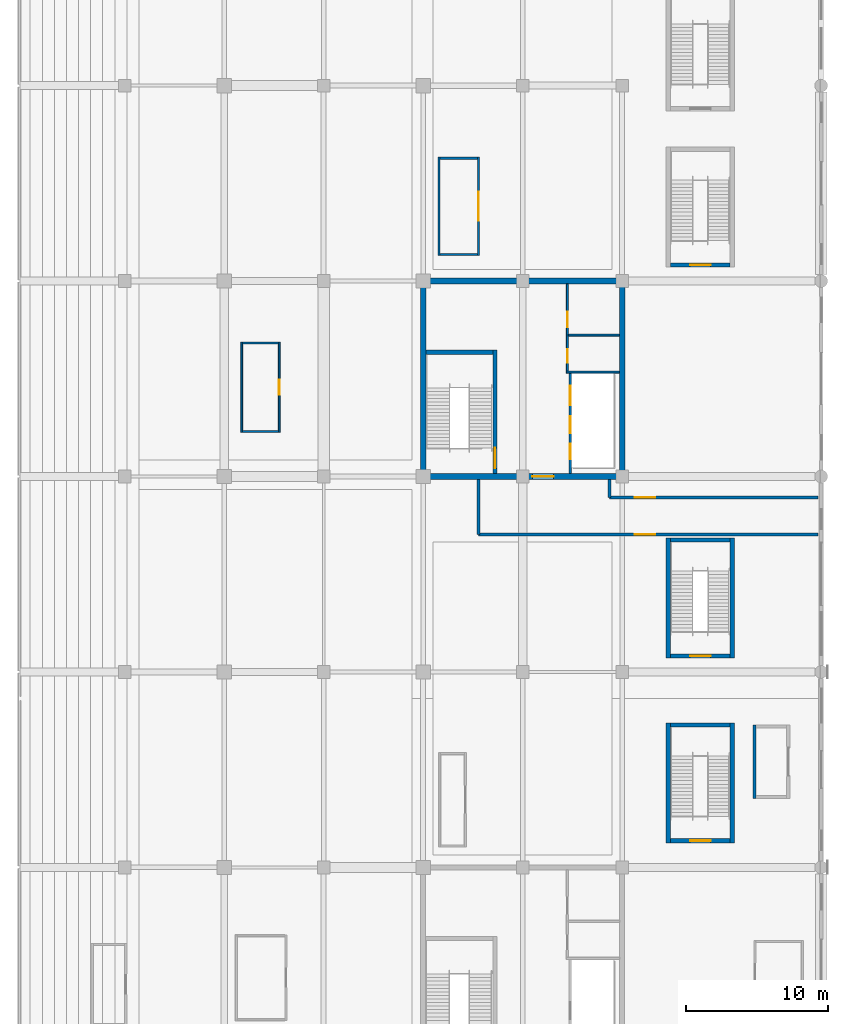
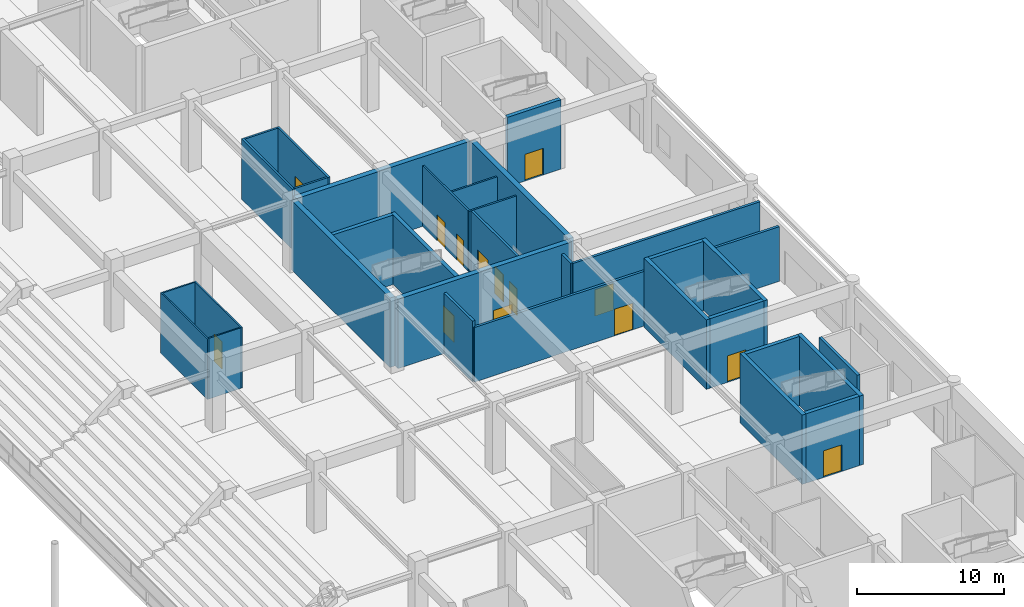
# One storey, part 45 of 73: 32 walls, 14 doors, 14 openings.
"""IFC4 building model written with IfcOpenShell, lengths in metres."""

from ifc_helpers import new_model, si_unit, direction, frame, frame_2d, origin, place, context, subcontext, project, spatial, rectangle, extrude, material, layer, layer_set, type_object, element, fill, save


model = new_model("IFC4")

# Units and contexts
model_context = context("Model", 3, precision=1e-05, world=origin(), true_north=direction((0.0, 1.0)))
body_context = subcontext(model_context, "Body", "Model", "MODEL_VIEW")
ifc_project = project(units=[si_unit("LENGTHUNIT", "METRE"), si_unit("AREAUNIT", "SQUARE_METRE"), si_unit("VOLUMEUNIT", "CUBIC_METRE"), si_unit("PLANEANGLEUNIT", "RADIAN"), si_unit("MASSUNIT", "GRAM", prefix="KILO")], contexts=[model_context])

# Site, building, storey
site_placement = place(None, origin())
site = spatial("IfcSite", under=ifc_project, at=site_placement, CompositionType="ELEMENT")
building_placement = place(site_placement, origin())
building = spatial("IfcBuilding", under=site, at=building_placement, Name="Linyun Crest Stadium", CompositionType="ELEMENT")
storey_placement = place(building_placement, origin())
storey = spatial("IfcBuildingStorey", under=building, at=storey_placement, Name="L01", CompositionType="ELEMENT", Elevation=0.0)

# Walls
ifc_material_1 = material(Name="Concrete C50", Category="concrete")
ifc_layer_1 = layer(ifc_material_1, 0.39990234375)
ifc_layer_set_1 = layer_set([ifc_layer_1], Name="Concrete C50")
wall_type_1 = type_object("IfcWallType", Name="CW02", PredefinedType="SHEAR", material=ifc_layer_set_1)
for number, where, z_axis, x_axis, name in (
    (1, (70.0, 2.324951171875, 0.0), (0.0, 0.0, 1.0), (0.0, 1.0, 0.0), "Core shear wall CW02 CORE-E2 L01.1"),
    (2, (84.0, 2.324951171875, 0.0), (0.0, 0.0, 1.0), (0.0, 1.0, 0.0), "Core shear wall CW02 CORE-E2 L01.2"),
):
    element("IfcWall", number, at=place(storey_placement, frame(where, z_axis=z_axis, x_axis=x_axis)), inside=storey, type_object=wall_type_1, Name=name, PredefinedType="SHEAR", context=body_context, shape_type="SweptSolid", body=[
        extrude(rectangle(XDim=13.35009765625, YDim=0.39990234375, at=frame_2d((6.675048828125, 0.0))), origin(), (0.0, 0.0, 1.0), 5.75),
    ])

# Wall, opening, door
wall_1_placement = place(storey_placement, frame((70.199951171875, 2.125, 0.0), z_axis=(0.0, 0.0, 1.0), x_axis=(1.0, 0.0, 0.0)))
wall_1 = element("IfcWall", 3, at=wall_1_placement, inside=storey, type_object=wall_type_1, Name="Core shear wall CW02 CORE-E2 L01.3", PredefinedType="SHEAR", context=body_context, shape_type="SweptSolid", body=[
    extrude(rectangle(XDim=13.60009765625, YDim=0.39990234375, at=frame_2d((6.800048828125, 0.0))), origin(), (0.0, 0.0, 1.0), 5.75),
])
opening_1_placement = place(wall_1_placement, frame((7.47998046875, 0.0, 0.0)))
opening_1 = element("IfcOpeningElement", 4, at=opening_1_placement, cuts=wall_1, Name="Opening D-L01-191", PredefinedType="OPENING", context=body_context, shape_type="SweptSolid", body=[
    extrude(rectangle(XDim=1.5, YDim=2.199951171875, at=frame_2d((0.75, 1.10009765625))), frame((0.0, 0.2099609375, 0.0), z_axis=(0.0, -1.0, 0.0), x_axis=(1.0, 0.0, 0.0)), (0.0, 0.0, 1.0), 0.419921875),
])
ifc_material_2 = material(Name="Galvanized steel Class A fire door", Category="steel")
ifc_layer_2 = layer(ifc_material_2, 0.054931640625)
ifc_layer_set_2 = layer_set([ifc_layer_2], Name="Galvanized steel Class A fire door")
door_type_1 = type_object("IfcDoorType", Name="FD01", OperationType="NOTDEFINED", PredefinedType="DOOR", material=ifc_layer_set_2)
door_1_placement = place(opening_1_placement, origin())
door_1 = element("IfcDoor", 5, at=door_1_placement, inside=storey, type_object=door_type_1, Name="Door D-L01-191", OperationType="SINGLE_SWING_LEFT", OverallHeight=2.199951171875, OverallWidth=1.5, PredefinedType="DOOR", context=body_context, shape_type="SweptSolid", body=[
    extrude(rectangle(XDim=1.5, YDim=2.199951171875, at=frame_2d((0.75, 1.10009765625))), frame((0.0, 0.02490234375, 0.0), z_axis=(0.0, -1.0, 0.0), x_axis=(1.0, 0.0, 0.0)), (0.0, 0.0, 1.0), 0.050048828125),
])
fill(opening_1, door_1)

# Wall
wall_2_placement = place(storey_placement, frame((70.199951171875, 15.875, 0.0), z_axis=(0.0, 0.0, 1.0), x_axis=(1.0, 0.0, 0.0)))
element("IfcWall", 6, at=wall_2_placement, inside=storey, type_object=wall_type_1, Name="Core shear wall CW02 CORE-E2 L01.4", PredefinedType="SHEAR", context=body_context, shape_type="SweptSolid", body=[
    extrude(rectangle(XDim=13.60009765625, YDim=0.39990234375, at=frame_2d((6.800048828125, 0.0))), origin(), (0.0, 0.0, 1.0), 5.75),
])

# Wall, opening, door
ifc_material_3 = material(Name="Autoclaved aerated concrete block with fireboard", Category="concrete")
ifc_layer_3 = layer(ifc_material_3, 0.199951171875)
ifc_layer_set_3 = layer_set([ifc_layer_3], Name="Autoclaved aerated concrete block with fireboard")
wall_type_2 = type_object("IfcWallType", Name="PW11", PredefinedType="PARTITIONING", material=ifc_layer_set_3)
wall_3_placement = place(storey_placement, frame((97.780029296875, -1.949951171875, 0.0), z_axis=(0.0, 0.0, 1.0), x_axis=(-1.0, 0.0, 0.0)))
wall_3 = element("IfcWall", 7, at=wall_3_placement, inside=storey, type_object=wall_type_2, Name="Partition PW11 L01 277", PredefinedType="PARTITIONING", context=body_context, shape_type="SweptSolid", body=[
    extrude(rectangle(XDim=23.880126953125, YDim=0.199951171875, at=frame_2d((11.93994140625, 0.0))), origin(), (0.0, 0.0, 1.0), 4.52490234375),
])
opening_2_placement = place(wall_3_placement, frame((11.455078125, 0.0, 0.0)))
opening_2 = element("IfcOpeningElement", 8, at=opening_2_placement, cuts=wall_3, Name="Opening D-L01-538", PredefinedType="OPENING", context=body_context, shape_type="SweptSolid", body=[
    extrude(rectangle(XDim=1.449951171875, YDim=2.199951171875, at=frame_2d((0.72509765625, 1.10009765625))), frame((0.0, 0.10986328125, 0.0), z_axis=(0.0, -1.0, 0.0), x_axis=(1.0, 0.0, 0.0)), (0.0, 0.0, 1.0), 0.219970703125),
])
ifc_material_4 = material(Name="Galvanized steel Class A fire door", Category="steel")
ifc_layer_4 = layer(ifc_material_4, 0.054931640625)
ifc_layer_set_4 = layer_set([ifc_layer_4], Name="Galvanized steel Class A fire door")
door_type_2 = type_object("IfcDoorType", Name="FD02", OperationType="NOTDEFINED", PredefinedType="DOOR", material=ifc_layer_set_4)
door_2_placement = place(opening_2_placement, origin())
door_2 = element("IfcDoor", 9, at=door_2_placement, inside=storey, type_object=door_type_2, Name="Door D-L01-538", OperationType="SINGLE_SWING_LEFT", OverallHeight=2.199951171875, OverallWidth=1.449951171875, PredefinedType="DOOR", context=body_context, shape_type="SweptSolid", body=[
    extrude(rectangle(XDim=1.449951171875, YDim=2.199951171875, at=frame_2d((0.72509765625, 1.10009765625))), frame((0.0, 0.02490234375, 0.0), z_axis=(0.0, -1.0, 0.0), x_axis=(1.0, 0.0, 0.0)), (0.0, 0.0, 1.0), 0.050048828125),
])
fill(opening_2, door_2)

wall_4_placement = place(storey_placement, frame((83.10009765625, 0.64990234375, 0.0), z_axis=(0.0, 0.0, 1.0), x_axis=(1.0, 0.0, 0.0)))
wall_4 = element("IfcWall", 10, at=wall_4_placement, inside=storey, type_object=wall_type_2, Name="Partition PW11 L01 278", PredefinedType="PARTITIONING", context=body_context, shape_type="SweptSolid", body=[
    extrude(rectangle(XDim=14.679931640625, YDim=0.199951171875, at=frame_2d((7.33984375, 0.0))), origin(), (0.0, 0.0, 1.0), 5.02001953125),
])
opening_3_placement = place(wall_4_placement, frame((1.77490234375, 0.0, 0.0)))
opening_3 = element("IfcOpeningElement", 11, at=opening_3_placement, cuts=wall_4, Name="Opening D-L01-539", PredefinedType="OPENING", context=body_context, shape_type="SweptSolid", body=[
    extrude(rectangle(XDim=1.449951171875, YDim=2.199951171875, at=frame_2d((0.72509765625, 1.10009765625))), frame((0.0, 0.10986328125, 0.0), z_axis=(0.0, -1.0, 0.0), x_axis=(1.0, 0.0, 0.0)), (0.0, 0.0, 1.0), 0.219970703125),
])
door_3_placement = place(opening_3_placement, origin())
door_3 = element("IfcDoor", 12, at=door_3_placement, inside=storey, type_object=door_type_2, Name="Door D-L01-539", OperationType="SINGLE_SWING_RIGHT", OverallHeight=2.199951171875, OverallWidth=1.449951171875, PredefinedType="DOOR", context=body_context, shape_type="SweptSolid", body=[
    extrude(rectangle(XDim=1.449951171875, YDim=2.199951171875, at=frame_2d((0.72509765625, 1.10009765625))), frame((0.0, 0.02490234375, 0.0), z_axis=(0.0, -1.0, 0.0), x_axis=(1.0, 0.0, 0.0)), (0.0, 0.0, 1.0), 0.050048828125),
])
fill(opening_3, door_3)

# Walls
wall_5_placement = place(storey_placement, frame((83.10009765625, 0.64990234375, 0.0), z_axis=(0.0, 0.0, 1.0), x_axis=(0.0, 1.0, 0.0)))
element("IfcWall", 13, at=wall_5_placement, inside=storey, type_object=wall_type_2, Name="Partition PW11 L01 279", PredefinedType="PARTITIONING", context=body_context, shape_type="SweptSolid", body=[
    extrude(rectangle(XDim=1.27001953125, YDim=0.199951171875, at=frame_2d((0.635009765625, 0.0))), origin(), (0.0, 0.0, 1.0), 5.02001953125),
])
wall_6_placement = place(storey_placement, frame((73.89990234375, -1.949951171875, 0.0), z_axis=(0.0, 0.0, 1.0), x_axis=(0.0, 1.0, 0.0)))
element("IfcWall", 14, at=wall_6_placement, inside=storey, type_object=wall_type_2, Name="Partition PW11 L01 280", PredefinedType="PARTITIONING", context=body_context, shape_type="SweptSolid", body=[
    extrude(rectangle(XDim=3.869873046875, YDim=0.199951171875, at=frame_2d((1.93505859375, 0.0))), origin(), (0.0, 0.0, 1.0), 5.02001953125),
])

# Wall, openings, doors
ifc_material_5 = material(Name="Autoclaved aerated concrete block fire partition", Category="concrete")
ifc_layer_5 = layer(ifc_material_5, 0.179931640625)
ifc_layer_set_5 = layer_set([ifc_layer_5], Name="Autoclaved aerated concrete block fire partition")
wall_type_3 = type_object("IfcWallType", Name="PW12", PredefinedType="PARTITIONING", material=ifc_layer_set_5)
wall_7_placement = place(storey_placement, frame((80.35009765625, 2.324951171875, 0.0), z_axis=(0.0, 0.0, 1.0), x_axis=(0.0, 1.0, 0.0)))
wall_7 = element("IfcWall", 15, at=wall_7_placement, inside=storey, type_object=wall_type_3, Name="Partition PW12 L01 71", PredefinedType="PARTITIONING", context=body_context, shape_type="SweptSolid", body=[
    extrude(rectangle(XDim=7.080078125, YDim=0.179931640625, at=frame_2d((3.5400390625, 0.0))), origin(), (0.0, 0.0, 1.0), 5.02001953125),
])
opening_4_placement = place(wall_7_placement, frame((1.0, 0.0, 0.0)))
opening_4 = element("IfcOpeningElement", 16, at=opening_4_placement, cuts=wall_7, Name="Opening LD064", PredefinedType="OPENING", context=body_context, shape_type="SweptSolid", body=[
    extrude(rectangle(XDim=1.10009765625, YDim=2.199951171875, at=frame_2d((0.550048828125, 1.10009765625))), frame((0.0, 0.099853515625, 0.0), z_axis=(0.0, -1.0, 0.0), x_axis=(1.0, 0.0, 0.0)), (0.0, 0.0, 1.0), 0.199951171875),
])
opening_5_placement = place(wall_7_placement, frame((2.85009765625, 0.0, 0.0)))
opening_5 = element("IfcOpeningElement", 17, at=opening_5_placement, cuts=wall_7, Name="Opening LD065", PredefinedType="OPENING", context=body_context, shape_type="SweptSolid", body=[
    extrude(rectangle(XDim=1.199951171875, YDim=2.25, at=frame_2d((0.60009765625, 1.125))), frame((0.0, 0.099853515625, 0.0), z_axis=(0.0, -1.0, 0.0), x_axis=(1.0, 0.0, 0.0)), (0.0, 0.0, 1.0), 0.199951171875),
])
opening_6_placement = place(wall_7_placement, frame((4.800048828125, 0.0, 0.0)))
opening_6 = element("IfcOpeningElement", 18, at=opening_6_placement, cuts=wall_7, Name="Opening LD066", PredefinedType="OPENING", context=body_context, shape_type="SweptSolid", body=[
    extrude(rectangle(XDim=1.39990234375, YDim=2.300048828125, at=frame_2d((0.699951171875, 1.14990234375))), frame((0.0, 0.099853515625, 0.0), z_axis=(0.0, -1.0, 0.0), x_axis=(1.0, 0.0, 0.0)), (0.0, 0.0, 1.0), 0.199951171875),
])
ifc_material_6 = material(Name="Brushed stainless sliding lift door")
ifc_layer_6 = layer(ifc_material_6, 0.050048828125)
ifc_layer_set_6 = layer_set([ifc_layer_6], Name="Brushed stainless sliding lift door")
door_type_3 = type_object("IfcDoorType", Name="LD01", OperationType="NOTDEFINED", PredefinedType="DOOR", material=ifc_layer_set_6)
door_4_placement = place(opening_4_placement, origin())
door_4 = element("IfcDoor", 19, at=door_4_placement, inside=storey, type_object=door_type_3, Name="Lift landing door LD064", OperationType="DOUBLE_DOOR_SLIDING", OverallHeight=2.199951171875, OverallWidth=1.10009765625, PredefinedType="DOOR", context=body_context, shape_type="SweptSolid", body=[
    extrude(rectangle(XDim=1.10009765625, YDim=2.199951171875, at=frame_2d((0.550048828125, 1.10009765625))), frame((0.0, 0.02490234375, 0.0), z_axis=(0.0, -1.0, 0.0), x_axis=(1.0, 0.0, 0.0)), (0.0, 0.0, 1.0), 0.050048828125),
])
fill(opening_4, door_4)
ifc_material_7 = material(Name="Brushed stainless sliding lift door")
ifc_layer_7 = layer(ifc_material_7, 0.050048828125)
ifc_layer_set_7 = layer_set([ifc_layer_7], Name="Brushed stainless sliding lift door")
door_type_4 = type_object("IfcDoorType", Name="LD02", OperationType="NOTDEFINED", PredefinedType="DOOR", material=ifc_layer_set_7)
door_5_placement = place(opening_5_placement, origin())
door_5 = element("IfcDoor", 20, at=door_5_placement, inside=storey, type_object=door_type_4, Name="Lift landing door LD065", OperationType="DOUBLE_DOOR_SLIDING", OverallHeight=2.25, OverallWidth=1.199951171875, PredefinedType="DOOR", context=body_context, shape_type="SweptSolid", body=[
    extrude(rectangle(XDim=1.199951171875, YDim=2.25, at=frame_2d((0.60009765625, 1.125))), frame((0.0, 0.02490234375, 0.0), z_axis=(0.0, -1.0, 0.0), x_axis=(1.0, 0.0, 0.0)), (0.0, 0.0, 1.0), 0.050048828125),
])
fill(opening_5, door_5)
ifc_material_8 = material(Name="Heavy-duty stainless sliding door")
ifc_layer_8 = layer(ifc_material_8, 0.054931640625)
ifc_layer_set_8 = layer_set([ifc_layer_8], Name="Heavy-duty stainless sliding door")
door_type_5 = type_object("IfcDoorType", Name="LD03", OperationType="NOTDEFINED", PredefinedType="DOOR", material=ifc_layer_set_8)
door_6_placement = place(opening_6_placement, origin())
door_6 = element("IfcDoor", 21, at=door_6_placement, inside=storey, type_object=door_type_5, Name="Lift landing door LD066", OperationType="DOUBLE_DOOR_SLIDING", OverallHeight=2.300048828125, OverallWidth=1.39990234375, PredefinedType="DOOR", context=body_context, shape_type="SweptSolid", body=[
    extrude(rectangle(XDim=1.39990234375, YDim=2.300048828125, at=frame_2d((0.699951171875, 1.14990234375))), frame((0.0, 0.02490234375, 0.0), z_axis=(0.0, -1.0, 0.0), x_axis=(1.0, 0.0, 0.0)), (0.0, 0.0, 1.0), 0.050048828125),
])
fill(opening_6, door_6)

ifc_material_9 = material(Name="Moisture-resistant ceramic-tiled wet-room wall")
ifc_layer_9 = layer(ifc_material_9, 0.139892578125)
ifc_layer_set_9 = layer_set([ifc_layer_9], Name="Moisture-resistant ceramic-tiled wet-room wall")
wall_type_4 = type_object("IfcWallType", Name="PW15", PredefinedType="PARTITIONING", material=ifc_layer_set_9)
wall_8_placement = place(storey_placement, frame((80.14990234375, 9.544921875, 0.0), z_axis=(0.0, 0.0, 1.0), x_axis=(0.0, 1.0, 0.0)))
wall_8 = element("IfcWall", 22, at=wall_8_placement, inside=storey, type_object=wall_type_4, Name="Partition PW15 L01 72", PredefinedType="PARTITIONING", context=body_context, shape_type="SweptSolid", body=[
    extrude(rectangle(XDim=6.130126953125, YDim=0.139892578125, at=frame_2d((3.06494140625, 0.0))), origin(), (0.0, 0.0, 1.0), 5.02001953125),
])
opening_7_placement = place(wall_8_placement, frame((0.580078125, 0.0, 0.0)))
opening_7 = element("IfcOpeningElement", 23, at=opening_7_placement, cuts=wall_8, Name="Opening D-L01-196", PredefinedType="OPENING", context=body_context, shape_type="SweptSolid", body=[
    extrude(rectangle(XDim=0.949951171875, YDim=2.14990234375, at=frame_2d((0.47509765625, 1.074951171875))), frame((0.0, 0.079833984375, 0.0), z_axis=(0.0, -1.0, 0.0), x_axis=(1.0, 0.0, 0.0)), (0.0, 0.0, 1.0), 0.159912109375),
])
opening_8_placement = place(wall_8_placement, frame((3.080078125, 0.0, 0.0)))
opening_8 = element("IfcOpeningElement", 24, at=opening_8_placement, cuts=wall_8, Name="Opening D-L01-197", PredefinedType="OPENING", context=body_context, shape_type="SweptSolid", body=[
    extrude(rectangle(XDim=1.10009765625, YDim=2.14990234375, at=frame_2d((0.550048828125, 1.074951171875))), frame((0.0, 0.079833984375, 0.0), z_axis=(0.0, -1.0, 0.0), x_axis=(1.0, 0.0, 0.0)), (0.0, 0.0, 1.0), 0.159912109375),
])
ifc_material_10 = material(Name="Moisture-resistant laminate leaf")
ifc_layer_10 = layer(ifc_material_10, 0.044921875)
ifc_layer_set_10 = layer_set([ifc_layer_10], Name="Moisture-resistant laminate leaf")
door_type_6 = type_object("IfcDoorType", Name="ID02", OperationType="NOTDEFINED", PredefinedType="DOOR", material=ifc_layer_set_10)
door_7_placement = place(opening_7_placement, origin())
door_7 = element("IfcDoor", 25, at=door_7_placement, inside=storey, type_object=door_type_6, Name="Door D-L01-196", OperationType="SINGLE_SWING_RIGHT", OverallHeight=2.14990234375, OverallWidth=0.949951171875, PredefinedType="DOOR", context=body_context, shape_type="SweptSolid", body=[
    extrude(rectangle(XDim=0.949951171875, YDim=2.14990234375, at=frame_2d((0.47509765625, 1.074951171875))), frame((0.0, 0.02490234375, 0.0), z_axis=(0.0, -1.0, 0.0), x_axis=(1.0, 0.0, 0.0)), (0.0, 0.0, 1.0), 0.050048828125),
])
fill(opening_7, door_7)
ifc_material_11 = material(Name="Moisture-resistant laminate leaf")
ifc_layer_11 = layer(ifc_material_11, 0.044921875)
ifc_layer_set_11 = layer_set([ifc_layer_11], Name="Moisture-resistant laminate leaf")
door_type_7 = type_object("IfcDoorType", Name="ID03", OperationType="NOTDEFINED", PredefinedType="DOOR", material=ifc_layer_set_11)
door_8_placement = place(opening_8_placement, origin())
door_8 = element("IfcDoor", 26, at=door_8_placement, inside=storey, type_object=door_type_7, Name="Door D-L01-197", OperationType="SINGLE_SWING_LEFT", OverallHeight=2.14990234375, OverallWidth=1.10009765625, PredefinedType="DOOR", context=body_context, shape_type="SweptSolid", body=[
    extrude(rectangle(XDim=1.10009765625, YDim=2.14990234375, at=frame_2d((0.550048828125, 1.074951171875))), frame((0.0, 0.02490234375, 0.0), z_axis=(0.0, -1.0, 0.0), x_axis=(1.0, 0.0, 0.0)), (0.0, 0.0, 1.0), 0.050048828125),
])
fill(opening_8, door_8)

# Walls
wall_9_placement = place(storey_placement, frame((80.080078125, 9.47509765625, 0.0), z_axis=(0.0, 0.0, 1.0), x_axis=(1.0, 0.0, 0.0)))
element("IfcWall", 27, at=wall_9_placement, inside=storey, type_object=wall_type_4, Name="Enclosure partition PW15 L01 57", PredefinedType="PARTITIONING", context=body_context, shape_type="SweptSolid", body=[
    extrude(rectangle(XDim=3.719970703125, YDim=0.139892578125, at=frame_2d((1.85986328125, 0.0))), origin(), (0.0, 0.0, 1.0), 5.02001953125),
])
wall_10_placement = place(storey_placement, frame((80.219970703125, 12.074951171875, 0.0), z_axis=(0.0, 0.0, 1.0), x_axis=(1.0, 0.0, 0.0)))
element("IfcWall", 28, at=wall_10_placement, inside=storey, type_object=wall_type_4, Name="Enclosure partition PW15 L01 58", PredefinedType="PARTITIONING", context=body_context, shape_type="SweptSolid", body=[
    extrude(rectangle(XDim=3.580078125, YDim=0.139892578125, at=frame_2d((1.7900390625, 0.0))), origin(), (0.0, 0.0, 1.0), 5.02001953125),
])
ifc_material_12 = material(Name="Acoustic broadcast studio double-leaf partition")
ifc_layer_12 = layer(ifc_material_12, 0.219970703125)
ifc_layer_set_12 = layer_set([ifc_layer_12], Name="Acoustic broadcast studio double-leaf partition")
wall_type_5 = type_object("IfcWallType", Name="PW16", PredefinedType="PARTITIONING", material=ifc_layer_set_12)
wall_11_placement = place(storey_placement, frame((93.321044921875, -20.531005859375, 0.0), z_axis=(0.0, 0.0, 1.0), x_axis=(0.0, 1.0, 0.0)))
element("IfcWall", 29, at=wall_11_placement, inside=storey, type_object=wall_type_5, Name="Enclosure partition PW16 L01 211", PredefinedType="PARTITIONING", context=body_context, shape_type="SweptSolid", body=[
    extrude(rectangle(XDim=5.179931640625, YDim=0.219970703125, at=frame_2d((2.58984375, 0.0))), origin(), (0.0, 0.0, 1.0), 5.02001953125),
])

# Wall, opening, door
ifc_material_13 = material(Name="Glazed hospitality salon screen partition")
ifc_layer_13 = layer(ifc_material_13, 0.114990234375)
ifc_layer_set_13 = layer_set([ifc_layer_13], Name="Glazed hospitality salon screen partition")
wall_type_6 = type_object("IfcWallType", Name="PW21", PredefinedType="PARTITIONING", material=ifc_layer_set_13)
wall_12_placement = place(storey_placement, frame((59.8720703125, 11.574951171875, 0.0), z_axis=(0.0, 0.0, 1.0), x_axis=(0.0, -1.0, 0.0)))
wall_12 = element("IfcWall", 30, at=wall_12_placement, inside=storey, type_object=wall_type_6, Name="Partition PW21 L01 169", PredefinedType="PARTITIONING", context=body_context, shape_type="SweptSolid", body=[
    extrude(rectangle(XDim=6.33984375, YDim=0.114990234375, at=frame_2d((3.169921875, 0.0))), origin(), (0.0, 0.0, 1.0), 5.02001953125),
])
opening_9_placement = place(wall_12_placement, frame((2.64501953125, 0.0, 0.0)))
opening_9 = element("IfcOpeningElement", 31, at=opening_9_placement, cuts=wall_12, Name="Opening D-L01-432", PredefinedType="OPENING", context=body_context, shape_type="SweptSolid", body=[
    extrude(rectangle(XDim=1.050048828125, YDim=2.25, at=frame_2d((0.52490234375, 1.125))), frame((0.0, 0.0673828125, 0.0), z_axis=(0.0, -1.0, 0.0), x_axis=(1.0, 0.0, 0.0)), (0.0, 0.0, 1.0), 0.135009765625),
])
ifc_material_14 = material(Name="Walnut and brass Art Nouveau door")
ifc_layer_14 = layer(ifc_material_14, 0.050048828125)
ifc_layer_set_14 = layer_set([ifc_layer_14], Name="Walnut and brass Art Nouveau door")
door_type_8 = type_object("IfcDoorType", Name="ID05", OperationType="NOTDEFINED", PredefinedType="DOOR", material=ifc_layer_set_14)
door_9_placement = place(opening_9_placement, origin())
door_9 = element("IfcDoor", 32, at=door_9_placement, inside=storey, type_object=door_type_8, Name="Door D-L01-432", OperationType="SINGLE_SWING_RIGHT", OverallHeight=2.25, OverallWidth=1.050048828125, PredefinedType="DOOR", context=body_context, shape_type="SweptSolid", body=[
    extrude(rectangle(XDim=1.050048828125, YDim=2.25, at=frame_2d((0.52490234375, 1.125))), frame((0.0, 0.02490234375, 0.0), z_axis=(0.0, -1.0, 0.0), x_axis=(1.0, 0.0, 0.0)), (0.0, 0.0, 1.0), 0.050048828125),
])
fill(opening_9, door_9)

# Walls
wall_13_placement = place(storey_placement, frame((57.23193359375, 5.235107421875, 0.0), z_axis=(0.0, 0.0, 1.0), x_axis=(0.0, 1.0, 0.0)))
element("IfcWall", 33, at=wall_13_placement, inside=storey, type_object=wall_type_6, Name="Enclosure partition PW21 L01 223", PredefinedType="PARTITIONING", context=body_context, shape_type="SweptSolid", body=[
    extrude(rectangle(XDim=6.33984375, YDim=0.114990234375, at=frame_2d((3.169921875, 0.0))), origin(), (0.0, 0.0, 1.0), 5.02001953125),
])
for number, where, z_axis, x_axis, name in (
    (34, (57.2900390625, 5.29296875, 0.0), (0.0, 0.0, 1.0), (1.0, 0.0, 0.0), "Enclosure partition PW21 L01 224"),
    (35, (57.2900390625, 11.51708984375, 0.0), (0.0, 0.0, 1.0), (1.0, 0.0, 0.0), "Enclosure partition PW21 L01 225"),
):
    element("IfcWall", number, at=place(storey_placement, frame(where, z_axis=z_axis, x_axis=x_axis)), inside=storey, type_object=wall_type_6, Name=name, PredefinedType="PARTITIONING", context=body_context, shape_type="SweptSolid", body=[
        extrude(rectangle(XDim=2.52392578125, YDim=0.114990234375, at=frame_2d((1.261962890625, 0.0))), origin(), (0.0, 0.0, 1.0), 5.02001953125),
    ])

# Wall, opening, door
ifc_material_15 = material(Name="Medical and doping-control hygienic partition")
ifc_layer_15 = layer(ifc_material_15, 0.155029296875)
ifc_layer_set_15 = layer_set([ifc_layer_15], Name="Medical and doping-control hygienic partition")
wall_type_7 = type_object("IfcWallType", Name="PW23", PredefinedType="PARTITIONING", material=ifc_layer_set_15)
wall_14_placement = place(storey_placement, frame((73.89208984375, 24.594970703125, 0.0), z_axis=(0.0, 0.0, 1.0), x_axis=(0.0, -1.0, 0.0)))
wall_14 = element("IfcWall", 36, at=wall_14_placement, inside=storey, type_object=wall_type_7, Name="Partition PW23 L01 171", PredefinedType="PARTITIONING", context=body_context, shape_type="SweptSolid", body=[
    extrude(rectangle(XDim=6.919921875, YDim=0.155029296875, at=frame_2d((3.4599609375, 0.0))), origin(), (0.0, 0.0, 1.0), 5.02001953125),
])
opening_10_placement = place(wall_14_placement, frame((2.43505859375, 0.0, 0.0)))
opening_10 = element("IfcOpeningElement", 37, at=opening_10_placement, cuts=wall_14, Name="Opening D-L01-434", PredefinedType="OPENING", context=body_context, shape_type="SweptSolid", body=[
    extrude(rectangle(XDim=2.050048828125, YDim=2.39990234375, at=frame_2d((1.02490234375, 1.199951171875))), frame((0.0, 0.08740234375, 0.0), z_axis=(0.0, -1.0, 0.0), x_axis=(1.0, 0.0, 0.0)), (0.0, 0.0, 1.0), 0.175048828125),
])
ifc_material_16 = material(Name="Double-leaf glazed aluminium door", Category="aluminium")
ifc_layer_16 = layer(ifc_material_16, 0.054931640625)
ifc_layer_set_16 = layer_set([ifc_layer_16], Name="Double-leaf glazed aluminium door")
door_type_9 = type_object("IfcDoorType", Name="ID07", OperationType="NOTDEFINED", PredefinedType="DOOR", material=ifc_layer_set_16)
door_10_placement = place(opening_10_placement, origin())
door_10 = element("IfcDoor", 38, at=door_10_placement, inside=storey, type_object=door_type_9, Name="Door D-L01-434", OperationType="DOUBLE_DOOR_SINGLE_SWING", OverallHeight=2.39990234375, OverallWidth=2.050048828125, PredefinedType="DOOR", context=body_context, shape_type="SweptSolid", body=[
    extrude(rectangle(XDim=2.050048828125, YDim=2.39990234375, at=frame_2d((1.02490234375, 1.199951171875))), frame((0.0, 0.02490234375, 0.0), z_axis=(0.0, -1.0, 0.0), x_axis=(1.0, 0.0, 0.0)), (0.0, 0.0, 1.0), 0.050048828125),
])
fill(opening_10, door_10)

# Walls
wall_15_placement = place(storey_placement, frame((71.112060546875, 17.675048828125, 0.0), z_axis=(0.0, 0.0, 1.0), x_axis=(0.0, 1.0, 0.0)))
element("IfcWall", 39, at=wall_15_placement, inside=storey, type_object=wall_type_7, Name="Enclosure partition PW23 L01 229", PredefinedType="PARTITIONING", context=body_context, shape_type="SweptSolid", body=[
    extrude(rectangle(XDim=6.919921875, YDim=0.155029296875, at=frame_2d((3.4599609375, 0.0))), origin(), (0.0, 0.0, 1.0), 5.02001953125),
])
for number, where, z_axis, x_axis, name in (
    (40, (71.18994140625, 17.7529296875, 0.0), (0.0, 0.0, 1.0), (1.0, 0.0, 0.0), "Enclosure partition PW23 L01 230"),
    (41, (71.18994140625, 24.51708984375, 0.0), (0.0, 0.0, 1.0), (1.0, 0.0, 0.0), "Enclosure partition PW23 L01 231"),
):
    element("IfcWall", number, at=place(storey_placement, frame(where, z_axis=z_axis, x_axis=x_axis)), inside=storey, type_object=wall_type_7, Name=name, PredefinedType="PARTITIONING", context=body_context, shape_type="SweptSolid", body=[
        extrude(rectangle(XDim=2.6240234375, YDim=0.155029296875, at=frame_2d((1.31201171875, 0.0))), origin(), (0.0, 0.0, 1.0), 5.02001953125),
    ])

# Wall, opening, door
ifc_material_17 = material(Name="Concrete C50", Category="concrete")
ifc_layer_17 = layer(ifc_material_17, 0.300048828125)
ifc_layer_set_17 = layer_set([ifc_layer_17], Name="Concrete C50")
wall_type_8 = type_object("IfcWallType", Name="SW01", PredefinedType="SHEAR", material=ifc_layer_set_17)
wall_16_placement = place(storey_placement, frame((75.050048828125, 2.324951171875, 0.0), z_axis=(0.0, 0.0, 1.0), x_axis=(0.0, 1.0, 0.0)))
wall_16 = element("IfcWall", 42, at=wall_16_placement, inside=storey, type_object=wall_type_8, Name="Core stair east bearing wall SW01 5 L01", PredefinedType="SHEAR", context=body_context, shape_type="SweptSolid", body=[
    extrude(rectangle(XDim=8.699951171875, YDim=0.300048828125, at=frame_2d((4.35009765625, 0.0))), origin(), (0.0, 0.0, 1.0), 5.75),
])
opening_11_placement = place(wall_16_placement, frame((0.3701171875, 0.0, 0.0)))
opening_11 = element("IfcOpeningElement", 43, at=opening_11_placement, cuts=wall_16, Name="Opening D-L01-192", PredefinedType="OPENING", context=body_context, shape_type="SweptSolid", body=[
    extrude(rectangle(XDim=1.449951171875, YDim=2.199951171875, at=frame_2d((0.72509765625, 1.10009765625))), frame((0.0, 0.159912109375, 0.0), z_axis=(0.0, -1.0, 0.0), x_axis=(1.0, 0.0, 0.0)), (0.0, 0.0, 1.0), 0.320068359375),
])
door_11_placement = place(opening_11_placement, origin())
door_11 = element("IfcDoor", 44, at=door_11_placement, inside=storey, type_object=door_type_2, Name="Door D-L01-192", OperationType="SINGLE_SWING_RIGHT", OverallHeight=2.199951171875, OverallWidth=1.449951171875, PredefinedType="DOOR", context=body_context, shape_type="SweptSolid", body=[
    extrude(rectangle(XDim=1.449951171875, YDim=2.199951171875, at=frame_2d((0.72509765625, 1.10009765625))), frame((0.0, 0.02490234375, 0.0), z_axis=(0.0, -1.0, 0.0), x_axis=(1.0, 0.0, 0.0)), (0.0, 0.0, 1.0), 0.050048828125),
])
fill(opening_11, door_11)

# Wall
wall_17_placement = place(storey_placement, frame((70.199951171875, 10.875, 0.0), z_axis=(0.0, 0.0, 1.0), x_axis=(1.0, 0.0, 0.0)))
element("IfcWall", 45, at=wall_17_placement, inside=storey, type_object=wall_type_8, Name="Core stair bearing wall SW01 5 L01", PredefinedType="SHEAR", context=body_context, shape_type="SweptSolid", body=[
    extrude(rectangle(XDim=4.699951171875, YDim=0.300048828125, at=frame_2d((2.35009765625, 0.0))), origin(), (0.0, 0.0, 1.0), 5.75),
])

# Wall, opening, door
wall_18_placement = place(storey_placement, frame((87.39990234375, -23.5, 0.0), z_axis=(0.0, 0.0, 1.0), x_axis=(1.0, 0.0, 0.0)))
wall_18 = element("IfcWall", 46, at=wall_18_placement, inside=storey, type_object=wall_type_8, Name="Stair shaft wall SW01 STR-19 L01 S", PredefinedType="SHEAR", context=body_context, shape_type="SweptSolid", body=[
    extrude(rectangle(XDim=4.2001953125, YDim=0.300048828125, at=frame_2d((2.10009765625, 0.0))), origin(), (0.0, 0.0, 1.0), 5.75),
])
opening_12_placement = place(wall_18_placement, frame((1.375, 0.0, 0.0)))
opening_12 = element("IfcOpeningElement", 47, at=opening_12_placement, cuts=wall_18, Name="Opening D-L01-573", PredefinedType="OPENING", context=body_context, shape_type="SweptSolid", body=[
    extrude(rectangle(XDim=1.449951171875, YDim=2.199951171875, at=frame_2d((0.72509765625, 1.10009765625))), frame((0.0, 0.159912109375, 0.0), z_axis=(0.0, -1.0, 0.0), x_axis=(1.0, 0.0, 0.0)), (0.0, 0.0, 1.0), 0.320068359375),
])
door_12_placement = place(opening_12_placement, origin())
door_12 = element("IfcDoor", 48, at=door_12_placement, inside=storey, type_object=door_type_2, Name="Door D-L01-573", OperationType="SINGLE_SWING_LEFT", OverallHeight=2.199951171875, OverallWidth=1.449951171875, PredefinedType="DOOR", context=body_context, shape_type="SweptSolid", body=[
    extrude(rectangle(XDim=1.449951171875, YDim=2.199951171875, at=frame_2d((0.72509765625, 1.10009765625))), frame((0.0, 0.02490234375, 0.0), z_axis=(0.0, -1.0, 0.0), x_axis=(1.0, 0.0, 0.0)), (0.0, 0.0, 1.0), 0.050048828125),
])
fill(opening_12, door_12)

# Walls
wall_19_placement = place(storey_placement, frame((87.39990234375, -15.35009765625, 0.0), z_axis=(0.0, 0.0, 1.0), x_axis=(1.0, 0.0, 0.0)))
element("IfcWall", 49, at=wall_19_placement, inside=storey, type_object=wall_type_8, Name="Stair shaft wall SW01 STR-19 L01 N", PredefinedType="SHEAR", context=body_context, shape_type="SweptSolid", body=[
    extrude(rectangle(XDim=4.2001953125, YDim=0.300048828125, at=frame_2d((2.10009765625, 0.0))), origin(), (0.0, 0.0, 1.0), 5.75),
])
for number, where, z_axis, x_axis, name in (
    (50, (87.25, -23.64990234375, 0.0), (0.0, 0.0, 1.0), (0.0, 1.0, 0.0), "Stair shaft wall SW01 STR-19 L01 W"),
    (51, (91.75, -23.64990234375, 0.0), (0.0, 0.0, 1.0), (0.0, 1.0, 0.0), "Stair shaft wall SW01 STR-19 L01 E"),
):
    element("IfcWall", number, at=place(storey_placement, frame(where, z_axis=z_axis, x_axis=x_axis)), inside=storey, type_object=wall_type_8, Name=name, PredefinedType="SHEAR", context=body_context, shape_type="SweptSolid", body=[
        extrude(rectangle(XDim=8.449951171875, YDim=0.300048828125, at=frame_2d((4.22509765625, 0.0))), origin(), (0.0, 0.0, 1.0), 5.75),
    ])

# Wall, opening, door
wall_20_placement = place(storey_placement, frame((87.39990234375, -10.5, 0.0), z_axis=(0.0, 0.0, 1.0), x_axis=(1.0, 0.0, 0.0)))
wall_20 = element("IfcWall", 52, at=wall_20_placement, inside=storey, type_object=wall_type_8, Name="Stair shaft wall SW01 STR-20 L01 S", PredefinedType="SHEAR", context=body_context, shape_type="SweptSolid", body=[
    extrude(rectangle(XDim=4.2001953125, YDim=0.300048828125, at=frame_2d((2.10009765625, 0.0))), origin(), (0.0, 0.0, 1.0), 5.75),
])
opening_13_placement = place(wall_20_placement, frame((1.375, 0.0, 0.0)))
opening_13 = element("IfcOpeningElement", 53, at=opening_13_placement, cuts=wall_20, Name="Opening D-L01-579", PredefinedType="OPENING", context=body_context, shape_type="SweptSolid", body=[
    extrude(rectangle(XDim=1.449951171875, YDim=2.199951171875, at=frame_2d((0.72509765625, 1.10009765625))), frame((0.0, 0.159912109375, 0.0), z_axis=(0.0, -1.0, 0.0), x_axis=(1.0, 0.0, 0.0)), (0.0, 0.0, 1.0), 0.320068359375),
])
door_13_placement = place(opening_13_placement, origin())
door_13 = element("IfcDoor", 54, at=door_13_placement, inside=storey, type_object=door_type_2, Name="Door D-L01-579", OperationType="SINGLE_SWING_LEFT", OverallHeight=2.199951171875, OverallWidth=1.449951171875, PredefinedType="DOOR", context=body_context, shape_type="SweptSolid", body=[
    extrude(rectangle(XDim=1.449951171875, YDim=2.199951171875, at=frame_2d((0.72509765625, 1.10009765625))), frame((0.0, 0.02490234375, 0.0), z_axis=(0.0, -1.0, 0.0), x_axis=(1.0, 0.0, 0.0)), (0.0, 0.0, 1.0), 0.050048828125),
])
fill(opening_13, door_13)

# Walls
wall_21_placement = place(storey_placement, frame((87.39990234375, -2.35009765625, 0.0), z_axis=(0.0, 0.0, 1.0), x_axis=(1.0, 0.0, 0.0)))
element("IfcWall", 55, at=wall_21_placement, inside=storey, type_object=wall_type_8, Name="Stair shaft wall SW01 STR-20 L01 N", PredefinedType="SHEAR", context=body_context, shape_type="SweptSolid", body=[
    extrude(rectangle(XDim=4.2001953125, YDim=0.300048828125, at=frame_2d((2.10009765625, 0.0))), origin(), (0.0, 0.0, 1.0), 5.75),
])
for number, where, z_axis, x_axis, name in (
    (56, (87.25, -10.64990234375, 0.0), (0.0, 0.0, 1.0), (0.0, 1.0, 0.0), "Stair shaft wall SW01 STR-20 L01 W"),
    (57, (91.75, -10.64990234375, 0.0), (0.0, 0.0, 1.0), (0.0, 1.0, 0.0), "Stair shaft wall SW01 STR-20 L01 E"),
):
    element("IfcWall", number, at=place(storey_placement, frame(where, z_axis=z_axis, x_axis=x_axis)), inside=storey, type_object=wall_type_8, Name=name, PredefinedType="SHEAR", context=body_context, shape_type="SweptSolid", body=[
        extrude(rectangle(XDim=8.449951171875, YDim=0.300048828125, at=frame_2d((4.22509765625, 0.0))), origin(), (0.0, 0.0, 1.0), 5.75),
    ])

# Wall, opening, door
wall_22_placement = place(storey_placement, frame((87.39990234375, 17.0, 0.0), z_axis=(0.0, 0.0, 1.0), x_axis=(1.0, 0.0, 0.0)))
wall_22 = element("IfcWall", 58, at=wall_22_placement, inside=storey, type_object=wall_type_8, Name="Stair shaft wall SW01 STR-21 L01 S", PredefinedType="SHEAR", context=body_context, shape_type="SweptSolid", body=[
    extrude(rectangle(XDim=4.2001953125, YDim=0.300048828125, at=frame_2d((2.10009765625, 0.0))), origin(), (0.0, 0.0, 1.0), 5.75),
])
opening_14_placement = place(wall_22_placement, frame((1.375, 0.0, 0.0)))
opening_14 = element("IfcOpeningElement", 59, at=opening_14_placement, cuts=wall_22, Name="Opening D-L01-584", PredefinedType="OPENING", context=body_context, shape_type="SweptSolid", body=[
    extrude(rectangle(XDim=1.449951171875, YDim=2.199951171875, at=frame_2d((0.72509765625, 1.10009765625))), frame((0.0, 0.159912109375, 0.0), z_axis=(0.0, -1.0, 0.0), x_axis=(1.0, 0.0, 0.0)), (0.0, 0.0, 1.0), 0.320068359375),
])
door_14_placement = place(opening_14_placement, origin())
door_14 = element("IfcDoor", 60, at=door_14_placement, inside=storey, type_object=door_type_2, Name="Door D-L01-584", OperationType="SINGLE_SWING_RIGHT", OverallHeight=2.199951171875, OverallWidth=1.449951171875, PredefinedType="DOOR", context=body_context, shape_type="SweptSolid", body=[
    extrude(rectangle(XDim=1.449951171875, YDim=2.199951171875, at=frame_2d((0.72509765625, 1.10009765625))), frame((0.0, 0.02490234375, 0.0), z_axis=(0.0, -1.0, 0.0), x_axis=(1.0, 0.0, 0.0)), (0.0, 0.0, 1.0), 0.050048828125),
])
fill(opening_14, door_14)

save(model, "model.ifc")
